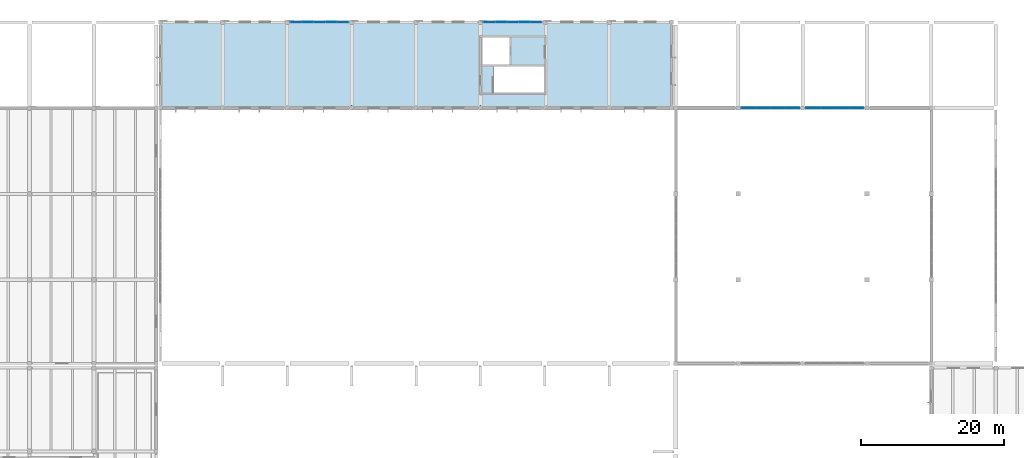
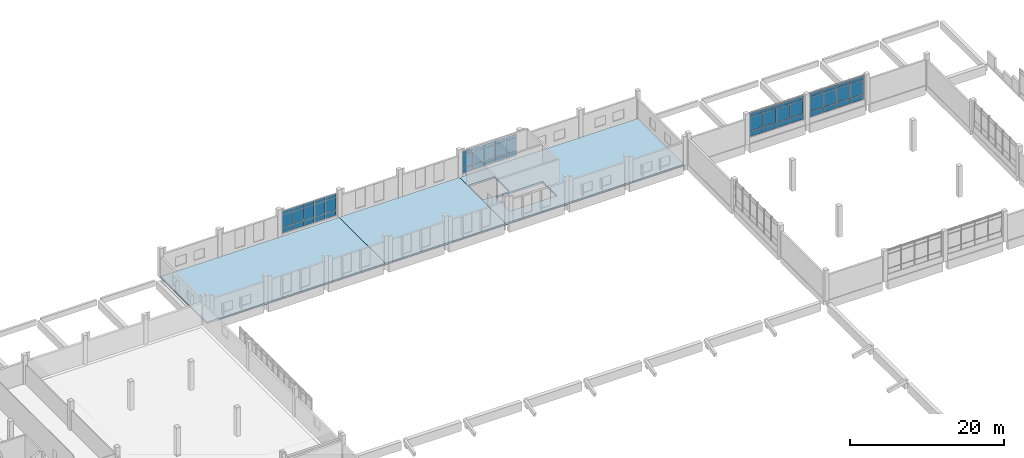
# One storey, part 32 of 63: 54 plates, 3 slabs, 4 elements without a shape of their own.
"""IFC4 building model written with IfcOpenShell, lengths in metres."""

from ifc_helpers import new_model, si_unit, direction, frame, origin, origin_2d, place, context, subcontext, project, spatial, polyline, rectangle, outline, extrude, material, layer, layer_set, type_object, element, aggregate, save


model = new_model("IFC4")

# Units and contexts
model_context = context("Model", 3, precision=1e-05, world=origin(), true_north=direction((0.0, 1.0)))
body_context = subcontext(model_context, "Body", "Model", "MODEL_VIEW")
ifc_project = project(units=[si_unit("LENGTHUNIT", "METRE"), si_unit("AREAUNIT", "SQUARE_METRE"), si_unit("VOLUMEUNIT", "CUBIC_METRE"), si_unit("PLANEANGLEUNIT", "RADIAN"), si_unit("MASSUNIT", "GRAM", prefix="KILO")], contexts=[model_context])

# Site, building, storey
site_placement = place(None, origin())
site = spatial("IfcSite", under=ifc_project, at=site_placement, CompositionType="ELEMENT")
building_placement = place(site_placement, origin())
building = spatial("IfcBuilding", under=site, at=building_placement, Name="Zacnel Wholesale Market", CompositionType="ELEMENT")
storey_placement = place(building_placement, frame((0.0, 0.0, 11.199951171875)))
storey = spatial("IfcBuildingStorey", under=building, at=storey_placement, Name="L03", CompositionType="ELEMENT", Elevation=11.199951171875)

# Curtain wall, plates
ifc_material_1 = material(Name="Anodised aluminium", Category="aluminium")
ifc_layer_1 = layer(ifc_material_1, 0.159912109375)
ifc_layer_set_1 = layer_set([ifc_layer_1], Name="Anodised aluminium")
curtain_wall_type_1 = type_object("IfcCurtainWallType", Name="CW-COURT-4500", PredefinedType="NOTDEFINED", material=ifc_layer_set_1)
curtain_wall_1_placement = place(storey_placement, origin())
curtain_wall_1 = element("IfcCurtainWall", 1, at=curtain_wall_1_placement, inside=storey, type_object=curtain_wall_type_1, Name="Curtain wall ENV-R2-CW-L03-048", PredefinedType="NOTDEFINED")
ifc_material_2 = material(Name="Laminated hurricane-impact low-E insulated glass", Category="glass")
ifc_layer_2 = layer(ifc_material_2, 0.028076171875)
ifc_layer_set_2 = layer_set([ifc_layer_2], Name="Laminated hurricane-impact low-E insulated glass")
plate_type_1 = type_object("IfcPlateType", Name="CWP-PNL-01", PredefinedType="CURTAIN_PANEL", material=ifc_layer_set_2)
plate_1_placement = place(storey_placement, frame((91.260009765625, 144.0, 1.330078125), z_axis=(0.0, 0.0, 1.0), x_axis=(1.0, 0.0, 0.0)))
plate_1 = element("IfcPlate", 2, at=plate_1_placement, type_object=plate_type_1, Name="ENV-R2-CW-L03-048 panel 1-2", PredefinedType="CURTAIN_PANEL", context=body_context, shape_type="SweptSolid", body=[
    extrude(rectangle(XDim=1.550048828125, YDim=0.028076171875, at=origin_2d()), origin(), (0.0, 0.0, 1.0), 2.010009765625),
])
plate_2_placement = place(storey_placement, frame((92.8798828125, 144.0, 1.330078125), z_axis=(0.0, 0.0, 1.0), x_axis=(1.0, 0.0, 0.0)))
plate_2 = element("IfcPlate", 3, at=plate_2_placement, type_object=plate_type_1, Name="ENV-R2-CW-L03-048 panel 2-2", PredefinedType="CURTAIN_PANEL", context=body_context, shape_type="SweptSolid", body=[
    extrude(rectangle(XDim=1.550048828125, YDim=0.028076171875, at=origin_2d()), origin(), (0.0, 0.0, 1.0), 2.010009765625),
])
plate_3_placement = place(storey_placement, frame((94.5, 144.0, 1.330078125), z_axis=(0.0, 0.0, 1.0), x_axis=(1.0, 0.0, 0.0)))
plate_3 = element("IfcPlate", 4, at=plate_3_placement, type_object=plate_type_1, Name="ENV-R2-CW-L03-048 panel 3-2", PredefinedType="CURTAIN_PANEL", context=body_context, shape_type="SweptSolid", body=[
    extrude(rectangle(XDim=1.550048828125, YDim=0.028076171875, at=origin_2d()), origin(), (0.0, 0.0, 1.0), 2.010009765625),
])
plate_4_placement = place(storey_placement, frame((96.1201171875, 144.0, 1.330078125), z_axis=(0.0, 0.0, 1.0), x_axis=(1.0, 0.0, 0.0)))
plate_4 = element("IfcPlate", 5, at=plate_4_placement, type_object=plate_type_1, Name="ENV-R2-CW-L03-048 panel 4-2", PredefinedType="CURTAIN_PANEL", context=body_context, shape_type="SweptSolid", body=[
    extrude(rectangle(XDim=1.550048828125, YDim=0.028076171875, at=origin_2d()), origin(), (0.0, 0.0, 1.0), 2.010009765625),
])
plate_5_placement = place(storey_placement, frame((97.739990234375, 144.0, 1.330078125), z_axis=(0.0, 0.0, 1.0), x_axis=(1.0, 0.0, 0.0)))
plate_5 = element("IfcPlate", 6, at=plate_5_placement, type_object=plate_type_1, Name="ENV-R2-CW-L03-048 panel 5-2", PredefinedType="CURTAIN_PANEL", context=body_context, shape_type="SweptSolid", body=[
    extrude(rectangle(XDim=1.550048828125, YDim=0.028076171875, at=origin_2d()), origin(), (0.0, 0.0, 1.0), 2.010009765625),
])

curtain_wall_2_placement = place(storey_placement, origin())
curtain_wall_2 = element("IfcCurtainWall", 7, at=curtain_wall_2_placement, inside=storey, type_object=curtain_wall_type_1, Name="Curtain wall ENV-R2-CW-L03-049", PredefinedType="NOTDEFINED")
plate_6_placement = place(storey_placement, frame((118.260009765625, 144.0, 1.330078125), z_axis=(0.0, 0.0, 1.0), x_axis=(1.0, 0.0, 0.0)))
plate_6 = element("IfcPlate", 8, at=plate_6_placement, type_object=plate_type_1, Name="ENV-R2-CW-L03-049 panel 1-2", PredefinedType="CURTAIN_PANEL", context=body_context, shape_type="SweptSolid", body=[
    extrude(rectangle(XDim=1.550048828125, YDim=0.028076171875, at=origin_2d()), origin(), (0.0, 0.0, 1.0), 2.010009765625),
])
plate_7_placement = place(storey_placement, frame((119.8798828125, 144.0, 1.330078125), z_axis=(0.0, 0.0, 1.0), x_axis=(1.0, 0.0, 0.0)))
plate_7 = element("IfcPlate", 9, at=plate_7_placement, type_object=plate_type_1, Name="ENV-R2-CW-L03-049 panel 2-2", PredefinedType="CURTAIN_PANEL", context=body_context, shape_type="SweptSolid", body=[
    extrude(rectangle(XDim=1.550048828125, YDim=0.028076171875, at=origin_2d()), origin(), (0.0, 0.0, 1.0), 2.010009765625),
])
plate_8_placement = place(storey_placement, frame((121.5, 144.0, 1.330078125), z_axis=(0.0, 0.0, 1.0), x_axis=(1.0, 0.0, 0.0)))
plate_8 = element("IfcPlate", 10, at=plate_8_placement, type_object=plate_type_1, Name="ENV-R2-CW-L03-049 panel 3-2", PredefinedType="CURTAIN_PANEL", context=body_context, shape_type="SweptSolid", body=[
    extrude(rectangle(XDim=1.550048828125, YDim=0.028076171875, at=origin_2d()), origin(), (0.0, 0.0, 1.0), 2.010009765625),
])
plate_9_placement = place(storey_placement, frame((123.1201171875, 144.0, 1.330078125), z_axis=(0.0, 0.0, 1.0), x_axis=(1.0, 0.0, 0.0)))
plate_9 = element("IfcPlate", 11, at=plate_9_placement, type_object=plate_type_1, Name="ENV-R2-CW-L03-049 panel 4-2", PredefinedType="CURTAIN_PANEL", context=body_context, shape_type="SweptSolid", body=[
    extrude(rectangle(XDim=1.550048828125, YDim=0.028076171875, at=origin_2d()), origin(), (0.0, 0.0, 1.0), 2.010009765625),
])
plate_10_placement = place(storey_placement, frame((124.739990234375, 144.0, 1.330078125), z_axis=(0.0, 0.0, 1.0), x_axis=(1.0, 0.0, 0.0)))
plate_10 = element("IfcPlate", 12, at=plate_10_placement, type_object=plate_type_1, Name="ENV-R2-CW-L03-049 panel 5-2", PredefinedType="CURTAIN_PANEL", context=body_context, shape_type="SweptSolid", body=[
    extrude(rectangle(XDim=1.550048828125, YDim=0.028076171875, at=origin_2d()), origin(), (0.0, 0.0, 1.0), 2.010009765625),
])

ifc_material_3 = material(Name="Anodised aluminium", Category="aluminium")
ifc_layer_3 = layer(ifc_material_3, 0.14990234375)
ifc_layer_set_3 = layer_set([ifc_layer_3], Name="Anodised aluminium")
curtain_wall_type_2 = type_object("IfcCurtainWallType", Name="CW-CLER-3600", PredefinedType="NOTDEFINED", material=ifc_layer_set_3)
curtain_wall_3_placement = place(storey_placement, origin())
curtain_wall_3 = element("IfcCurtainWall", 13, at=curtain_wall_3_placement, inside=storey, type_object=curtain_wall_type_2, Name="Curtain wall ENV-CW-XDRUM-N-2", PredefinedType="NOTDEFINED")
ifc_material_4 = material(Name="Laminated hurricane-impact low-E insulated glass", Category="glass")
ifc_layer_4 = layer(ifc_material_4, 0.02392578125)
ifc_layer_set_4 = layer_set([ifc_layer_4], Name="Laminated hurricane-impact low-E insulated glass")
plate_type_2 = type_object("IfcPlateType", Name="CWP-PNL-03", PredefinedType="CURTAIN_PANEL", material=ifc_layer_set_4)
plate_11_placement = place(storey_placement, frame((154.469970703125, 132.0, 1.7802734375), z_axis=(0.0, 0.0, 1.0), x_axis=(1.0, 0.0, 0.0)))
plate_11 = element("IfcPlate", 14, at=plate_11_placement, type_object=plate_type_2, Name="ENV-CW-XDRUM-N-2 panel 1-2", PredefinedType="CURTAIN_PANEL", context=body_context, shape_type="SweptSolid", body=[
    extrude(rectangle(XDim=1.949951171875, YDim=0.02392578125, at=origin_2d()), origin(), (0.0, 0.0, 1.0), 2.239990234375),
])
plate_12_placement = place(storey_placement, frame((156.489990234375, 132.0, 1.7802734375), z_axis=(0.0, 0.0, 1.0), x_axis=(1.0, 0.0, 0.0)))
plate_12 = element("IfcPlate", 15, at=plate_12_placement, type_object=plate_type_2, Name="ENV-CW-XDRUM-N-2 panel 2-2", PredefinedType="CURTAIN_PANEL", context=body_context, shape_type="SweptSolid", body=[
    extrude(rectangle(XDim=1.949951171875, YDim=0.02392578125, at=origin_2d()), origin(), (0.0, 0.0, 1.0), 2.239990234375),
])
plate_13_placement = place(storey_placement, frame((158.510009765625, 132.0, 1.7802734375), z_axis=(0.0, 0.0, 1.0), x_axis=(1.0, 0.0, 0.0)))
plate_13 = element("IfcPlate", 16, at=plate_13_placement, type_object=plate_type_2, Name="ENV-CW-XDRUM-N-2 panel 3-2", PredefinedType="CURTAIN_PANEL", context=body_context, shape_type="SweptSolid", body=[
    extrude(rectangle(XDim=1.949951171875, YDim=0.02392578125, at=origin_2d()), origin(), (0.0, 0.0, 1.0), 2.239990234375),
])
plate_14_placement = place(storey_placement, frame((160.530029296875, 132.0, 1.7802734375), z_axis=(0.0, 0.0, 1.0), x_axis=(1.0, 0.0, 0.0)))
plate_14 = element("IfcPlate", 17, at=plate_14_placement, type_object=plate_type_2, Name="ENV-CW-XDRUM-N-2 panel 4-2", PredefinedType="CURTAIN_PANEL", context=body_context, shape_type="SweptSolid", body=[
    extrude(rectangle(XDim=1.949951171875, YDim=0.02392578125, at=origin_2d()), origin(), (0.0, 0.0, 1.0), 2.239990234375),
])

curtain_wall_4_placement = place(storey_placement, origin())
curtain_wall_4 = element("IfcCurtainWall", 18, at=curtain_wall_4_placement, inside=storey, type_object=curtain_wall_type_2, Name="Curtain wall ENV-CW-XDRUM-N-3", PredefinedType="NOTDEFINED")
plate_15_placement = place(storey_placement, frame((163.469970703125, 132.0, 1.7802734375), z_axis=(0.0, 0.0, 1.0), x_axis=(1.0, 0.0, 0.0)))
plate_15 = element("IfcPlate", 19, at=plate_15_placement, type_object=plate_type_2, Name="ENV-CW-XDRUM-N-3 panel 1-2", PredefinedType="CURTAIN_PANEL", context=body_context, shape_type="SweptSolid", body=[
    extrude(rectangle(XDim=1.949951171875, YDim=0.02392578125, at=origin_2d()), origin(), (0.0, 0.0, 1.0), 2.239990234375),
])
plate_16_placement = place(storey_placement, frame((165.489990234375, 132.0, 1.7802734375), z_axis=(0.0, 0.0, 1.0), x_axis=(1.0, 0.0, 0.0)))
plate_16 = element("IfcPlate", 20, at=plate_16_placement, type_object=plate_type_2, Name="ENV-CW-XDRUM-N-3 panel 2-2", PredefinedType="CURTAIN_PANEL", context=body_context, shape_type="SweptSolid", body=[
    extrude(rectangle(XDim=1.949951171875, YDim=0.02392578125, at=origin_2d()), origin(), (0.0, 0.0, 1.0), 2.239990234375),
])
plate_17_placement = place(storey_placement, frame((167.510009765625, 132.0, 1.7802734375), z_axis=(0.0, 0.0, 1.0), x_axis=(1.0, 0.0, 0.0)))
plate_17 = element("IfcPlate", 21, at=plate_17_placement, type_object=plate_type_2, Name="ENV-CW-XDRUM-N-3 panel 3-2", PredefinedType="CURTAIN_PANEL", context=body_context, shape_type="SweptSolid", body=[
    extrude(rectangle(XDim=1.949951171875, YDim=0.02392578125, at=origin_2d()), origin(), (0.0, 0.0, 1.0), 2.239990234375),
])
plate_18_placement = place(storey_placement, frame((169.530029296875, 132.0, 1.7802734375), z_axis=(0.0, 0.0, 1.0), x_axis=(1.0, 0.0, 0.0)))
plate_18 = element("IfcPlate", 22, at=plate_18_placement, type_object=plate_type_2, Name="ENV-CW-XDRUM-N-3 panel 4-2", PredefinedType="CURTAIN_PANEL", context=body_context, shape_type="SweptSolid", body=[
    extrude(rectangle(XDim=1.949951171875, YDim=0.02392578125, at=origin_2d()), origin(), (0.0, 0.0, 1.0), 2.239990234375),
])

# Plate
ifc_material_5 = material(Name="Anodised aluminium", Category="aluminium")
ifc_layer_5 = layer(ifc_material_5, 0.0400390625)
ifc_layer_set_5 = layer_set([ifc_layer_5], Name="Anodised aluminium")
plate_type_3 = type_object("IfcPlateType", Name="CWP-PNL-05", PredefinedType="CURTAIN_PANEL", material=ifc_layer_set_5)
plate_19_placement = place(storey_placement, frame((91.260009765625, 144.0, 0.47998046875), z_axis=(0.0, 0.0, 1.0), x_axis=(1.0, 0.0, 0.0)))
plate_19 = element("IfcPlate", 23, at=plate_19_placement, type_object=plate_type_3, Name="ENV-R2-CW-L03-048 panel 1-1", PredefinedType="CURTAIN_PANEL", context=body_context, shape_type="SweptSolid", body=[
    extrude(rectangle(XDim=1.550048828125, YDim=0.0400390625, at=origin_2d()), origin(), (0.0, 0.0, 1.0), 0.7900390625),
])

plate_20_placement = place(storey_placement, frame((91.260009765625, 144.0, 3.39990234375), z_axis=(0.0, 0.0, 1.0), x_axis=(1.0, 0.0, 0.0)))
plate_20 = element("IfcPlate", 24, at=plate_20_placement, type_object=plate_type_3, Name="ENV-R2-CW-L03-048 panel 1-3", PredefinedType="CURTAIN_PANEL", context=body_context, shape_type="SweptSolid", body=[
    extrude(rectangle(XDim=1.550048828125, YDim=0.0400390625, at=origin_2d()), origin(), (0.0, 0.0, 1.0), 0.489990234375),
])

plate_21_placement = place(storey_placement, frame((94.5, 144.0, 0.47998046875), z_axis=(0.0, 0.0, 1.0), x_axis=(1.0, 0.0, 0.0)))
plate_21 = element("IfcPlate", 25, at=plate_21_placement, type_object=plate_type_3, Name="ENV-R2-CW-L03-048 panel 3-1", PredefinedType="CURTAIN_PANEL", context=body_context, shape_type="SweptSolid", body=[
    extrude(rectangle(XDim=1.550048828125, YDim=0.0400390625, at=origin_2d()), origin(), (0.0, 0.0, 1.0), 0.7900390625),
])

plate_22_placement = place(storey_placement, frame((94.5, 144.0, 3.39990234375), z_axis=(0.0, 0.0, 1.0), x_axis=(1.0, 0.0, 0.0)))
plate_22 = element("IfcPlate", 26, at=plate_22_placement, type_object=plate_type_3, Name="ENV-R2-CW-L03-048 panel 3-3", PredefinedType="CURTAIN_PANEL", context=body_context, shape_type="SweptSolid", body=[
    extrude(rectangle(XDim=1.550048828125, YDim=0.0400390625, at=origin_2d()), origin(), (0.0, 0.0, 1.0), 0.489990234375),
])

plate_23_placement = place(storey_placement, frame((97.739990234375, 144.0, 0.47998046875), z_axis=(0.0, 0.0, 1.0), x_axis=(1.0, 0.0, 0.0)))
plate_23 = element("IfcPlate", 27, at=plate_23_placement, type_object=plate_type_3, Name="ENV-R2-CW-L03-048 panel 5-1", PredefinedType="CURTAIN_PANEL", context=body_context, shape_type="SweptSolid", body=[
    extrude(rectangle(XDim=1.550048828125, YDim=0.0400390625, at=origin_2d()), origin(), (0.0, 0.0, 1.0), 0.7900390625),
])

plate_24_placement = place(storey_placement, frame((97.739990234375, 144.0, 3.39990234375), z_axis=(0.0, 0.0, 1.0), x_axis=(1.0, 0.0, 0.0)))
plate_24 = element("IfcPlate", 28, at=plate_24_placement, type_object=plate_type_3, Name="ENV-R2-CW-L03-048 panel 5-3", PredefinedType="CURTAIN_PANEL", context=body_context, shape_type="SweptSolid", body=[
    extrude(rectangle(XDim=1.550048828125, YDim=0.0400390625, at=origin_2d()), origin(), (0.0, 0.0, 1.0), 0.489990234375),
])

plate_25_placement = place(storey_placement, frame((118.260009765625, 144.0, 0.47998046875), z_axis=(0.0, 0.0, 1.0), x_axis=(1.0, 0.0, 0.0)))
plate_25 = element("IfcPlate", 29, at=plate_25_placement, type_object=plate_type_3, Name="ENV-R2-CW-L03-049 panel 1-1", PredefinedType="CURTAIN_PANEL", context=body_context, shape_type="SweptSolid", body=[
    extrude(rectangle(XDim=1.550048828125, YDim=0.0400390625, at=origin_2d()), origin(), (0.0, 0.0, 1.0), 0.7900390625),
])

plate_26_placement = place(storey_placement, frame((118.260009765625, 144.0, 3.39990234375), z_axis=(0.0, 0.0, 1.0), x_axis=(1.0, 0.0, 0.0)))
plate_26 = element("IfcPlate", 30, at=plate_26_placement, type_object=plate_type_3, Name="ENV-R2-CW-L03-049 panel 1-3", PredefinedType="CURTAIN_PANEL", context=body_context, shape_type="SweptSolid", body=[
    extrude(rectangle(XDim=1.550048828125, YDim=0.0400390625, at=origin_2d()), origin(), (0.0, 0.0, 1.0), 0.489990234375),
])

plate_27_placement = place(storey_placement, frame((121.5, 144.0, 0.47998046875), z_axis=(0.0, 0.0, 1.0), x_axis=(1.0, 0.0, 0.0)))
plate_27 = element("IfcPlate", 31, at=plate_27_placement, type_object=plate_type_3, Name="ENV-R2-CW-L03-049 panel 3-1", PredefinedType="CURTAIN_PANEL", context=body_context, shape_type="SweptSolid", body=[
    extrude(rectangle(XDim=1.550048828125, YDim=0.0400390625, at=origin_2d()), origin(), (0.0, 0.0, 1.0), 0.7900390625),
])

plate_28_placement = place(storey_placement, frame((121.5, 144.0, 3.39990234375), z_axis=(0.0, 0.0, 1.0), x_axis=(1.0, 0.0, 0.0)))
plate_28 = element("IfcPlate", 32, at=plate_28_placement, type_object=plate_type_3, Name="ENV-R2-CW-L03-049 panel 3-3", PredefinedType="CURTAIN_PANEL", context=body_context, shape_type="SweptSolid", body=[
    extrude(rectangle(XDim=1.550048828125, YDim=0.0400390625, at=origin_2d()), origin(), (0.0, 0.0, 1.0), 0.489990234375),
])

plate_29_placement = place(storey_placement, frame((124.739990234375, 144.0, 0.47998046875), z_axis=(0.0, 0.0, 1.0), x_axis=(1.0, 0.0, 0.0)))
plate_29 = element("IfcPlate", 33, at=plate_29_placement, type_object=plate_type_3, Name="ENV-R2-CW-L03-049 panel 5-1", PredefinedType="CURTAIN_PANEL", context=body_context, shape_type="SweptSolid", body=[
    extrude(rectangle(XDim=1.550048828125, YDim=0.0400390625, at=origin_2d()), origin(), (0.0, 0.0, 1.0), 0.7900390625),
])

plate_30_placement = place(storey_placement, frame((124.739990234375, 144.0, 3.39990234375), z_axis=(0.0, 0.0, 1.0), x_axis=(1.0, 0.0, 0.0)))
plate_30 = element("IfcPlate", 34, at=plate_30_placement, type_object=plate_type_3, Name="ENV-R2-CW-L03-049 panel 5-3", PredefinedType="CURTAIN_PANEL", context=body_context, shape_type="SweptSolid", body=[
    extrude(rectangle(XDim=1.550048828125, YDim=0.0400390625, at=origin_2d()), origin(), (0.0, 0.0, 1.0), 0.489990234375),
])

plate_31_placement = place(storey_placement, frame((154.469970703125, 132.0, 0.929931640625), z_axis=(0.0, 0.0, 1.0), x_axis=(1.0, 0.0, 0.0)))
plate_31 = element("IfcPlate", 35, at=plate_31_placement, type_object=plate_type_3, Name="ENV-CW-XDRUM-N-2 panel 1-1", PredefinedType="CURTAIN_PANEL", context=body_context, shape_type="SweptSolid", body=[
    extrude(rectangle(XDim=1.949951171875, YDim=0.0400390625, at=origin_2d()), origin(), (0.0, 0.0, 1.0), 0.7900390625),
])

plate_32_placement = place(storey_placement, frame((154.469970703125, 132.0, 4.080078125), z_axis=(0.0, 0.0, 1.0), x_axis=(1.0, 0.0, 0.0)))
plate_32 = element("IfcPlate", 36, at=plate_32_placement, type_object=plate_type_3, Name="ENV-CW-XDRUM-N-2 panel 1-3", PredefinedType="CURTAIN_PANEL", context=body_context, shape_type="SweptSolid", body=[
    extrude(rectangle(XDim=1.949951171875, YDim=0.0400390625, at=origin_2d()), origin(), (0.0, 0.0, 1.0), 0.489990234375),
])

plate_33_placement = place(storey_placement, frame((158.510009765625, 132.0, 0.929931640625), z_axis=(0.0, 0.0, 1.0), x_axis=(1.0, 0.0, 0.0)))
plate_33 = element("IfcPlate", 37, at=plate_33_placement, type_object=plate_type_3, Name="ENV-CW-XDRUM-N-2 panel 3-1", PredefinedType="CURTAIN_PANEL", context=body_context, shape_type="SweptSolid", body=[
    extrude(rectangle(XDim=1.949951171875, YDim=0.0400390625, at=origin_2d()), origin(), (0.0, 0.0, 1.0), 0.7900390625),
])

plate_34_placement = place(storey_placement, frame((158.510009765625, 132.0, 4.080078125), z_axis=(0.0, 0.0, 1.0), x_axis=(1.0, 0.0, 0.0)))
plate_34 = element("IfcPlate", 38, at=plate_34_placement, type_object=plate_type_3, Name="ENV-CW-XDRUM-N-2 panel 3-3", PredefinedType="CURTAIN_PANEL", context=body_context, shape_type="SweptSolid", body=[
    extrude(rectangle(XDim=1.949951171875, YDim=0.0400390625, at=origin_2d()), origin(), (0.0, 0.0, 1.0), 0.489990234375),
])

plate_35_placement = place(storey_placement, frame((163.469970703125, 132.0, 0.929931640625), z_axis=(0.0, 0.0, 1.0), x_axis=(1.0, 0.0, 0.0)))
plate_35 = element("IfcPlate", 39, at=plate_35_placement, type_object=plate_type_3, Name="ENV-CW-XDRUM-N-3 panel 1-1", PredefinedType="CURTAIN_PANEL", context=body_context, shape_type="SweptSolid", body=[
    extrude(rectangle(XDim=1.949951171875, YDim=0.0400390625, at=origin_2d()), origin(), (0.0, 0.0, 1.0), 0.7900390625),
])

plate_36_placement = place(storey_placement, frame((163.469970703125, 132.0, 4.080078125), z_axis=(0.0, 0.0, 1.0), x_axis=(1.0, 0.0, 0.0)))
plate_36 = element("IfcPlate", 40, at=plate_36_placement, type_object=plate_type_3, Name="ENV-CW-XDRUM-N-3 panel 1-3", PredefinedType="CURTAIN_PANEL", context=body_context, shape_type="SweptSolid", body=[
    extrude(rectangle(XDim=1.949951171875, YDim=0.0400390625, at=origin_2d()), origin(), (0.0, 0.0, 1.0), 0.489990234375),
])

plate_37_placement = place(storey_placement, frame((167.510009765625, 132.0, 0.929931640625), z_axis=(0.0, 0.0, 1.0), x_axis=(1.0, 0.0, 0.0)))
plate_37 = element("IfcPlate", 41, at=plate_37_placement, type_object=plate_type_3, Name="ENV-CW-XDRUM-N-3 panel 3-1", PredefinedType="CURTAIN_PANEL", context=body_context, shape_type="SweptSolid", body=[
    extrude(rectangle(XDim=1.949951171875, YDim=0.0400390625, at=origin_2d()), origin(), (0.0, 0.0, 1.0), 0.7900390625),
])

plate_38_placement = place(storey_placement, frame((167.510009765625, 132.0, 4.080078125), z_axis=(0.0, 0.0, 1.0), x_axis=(1.0, 0.0, 0.0)))
plate_38 = element("IfcPlate", 42, at=plate_38_placement, type_object=plate_type_3, Name="ENV-CW-XDRUM-N-3 panel 3-3", PredefinedType="CURTAIN_PANEL", context=body_context, shape_type="SweptSolid", body=[
    extrude(rectangle(XDim=1.949951171875, YDim=0.0400390625, at=origin_2d()), origin(), (0.0, 0.0, 1.0), 0.489990234375),
])

ifc_material_6 = material(Name="Honed Yucatan Maya cream limestone", Category="masonry")
ifc_layer_6 = layer(ifc_material_6, 0.044921875)
ifc_layer_set_6 = layer_set([ifc_layer_6], Name="Honed Yucatan Maya cream limestone")
plate_type_4 = type_object("IfcPlateType", Name="CWP-PNL-06", PredefinedType="CURTAIN_PANEL", material=ifc_layer_set_6)
plate_39_placement = place(storey_placement, frame((92.8798828125, 144.0, 0.47998046875), z_axis=(0.0, 0.0, 1.0), x_axis=(1.0, 0.0, 0.0)))
plate_39 = element("IfcPlate", 43, at=plate_39_placement, type_object=plate_type_4, Name="ENV-R2-CW-L03-048 panel 2-1", PredefinedType="CURTAIN_PANEL", context=body_context, shape_type="SweptSolid", body=[
    extrude(rectangle(XDim=1.550048828125, YDim=0.044921875, at=origin_2d()), origin(), (0.0, 0.0, 1.0), 0.7900390625),
])

plate_40_placement = place(storey_placement, frame((92.8798828125, 144.0, 3.39990234375), z_axis=(0.0, 0.0, 1.0), x_axis=(1.0, 0.0, 0.0)))
plate_40 = element("IfcPlate", 44, at=plate_40_placement, type_object=plate_type_4, Name="ENV-R2-CW-L03-048 panel 2-3", PredefinedType="CURTAIN_PANEL", context=body_context, shape_type="SweptSolid", body=[
    extrude(rectangle(XDim=1.550048828125, YDim=0.044921875, at=origin_2d()), origin(), (0.0, 0.0, 1.0), 0.489990234375),
])

plate_41_placement = place(storey_placement, frame((96.1201171875, 144.0, 0.47998046875), z_axis=(0.0, 0.0, 1.0), x_axis=(1.0, 0.0, 0.0)))
plate_41 = element("IfcPlate", 45, at=plate_41_placement, type_object=plate_type_4, Name="ENV-R2-CW-L03-048 panel 4-1", PredefinedType="CURTAIN_PANEL", context=body_context, shape_type="SweptSolid", body=[
    extrude(rectangle(XDim=1.550048828125, YDim=0.044921875, at=origin_2d()), origin(), (0.0, 0.0, 1.0), 0.7900390625),
])

plate_42_placement = place(storey_placement, frame((96.1201171875, 144.0, 3.39990234375), z_axis=(0.0, 0.0, 1.0), x_axis=(1.0, 0.0, 0.0)))
plate_42 = element("IfcPlate", 46, at=plate_42_placement, type_object=plate_type_4, Name="ENV-R2-CW-L03-048 panel 4-3", PredefinedType="CURTAIN_PANEL", context=body_context, shape_type="SweptSolid", body=[
    extrude(rectangle(XDim=1.550048828125, YDim=0.044921875, at=origin_2d()), origin(), (0.0, 0.0, 1.0), 0.489990234375),
])

aggregate(curtain_wall_1, [plate_19, plate_1, plate_20, plate_39, plate_2, plate_40, plate_21, plate_3, plate_22, plate_41, plate_4, plate_42, plate_23, plate_5, plate_24])

plate_43_placement = place(storey_placement, frame((119.8798828125, 144.0, 0.47998046875), z_axis=(0.0, 0.0, 1.0), x_axis=(1.0, 0.0, 0.0)))
plate_43 = element("IfcPlate", 47, at=plate_43_placement, type_object=plate_type_4, Name="ENV-R2-CW-L03-049 panel 2-1", PredefinedType="CURTAIN_PANEL", context=body_context, shape_type="SweptSolid", body=[
    extrude(rectangle(XDim=1.550048828125, YDim=0.044921875, at=origin_2d()), origin(), (0.0, 0.0, 1.0), 0.7900390625),
])

plate_44_placement = place(storey_placement, frame((119.8798828125, 144.0, 3.39990234375), z_axis=(0.0, 0.0, 1.0), x_axis=(1.0, 0.0, 0.0)))
plate_44 = element("IfcPlate", 48, at=plate_44_placement, type_object=plate_type_4, Name="ENV-R2-CW-L03-049 panel 2-3", PredefinedType="CURTAIN_PANEL", context=body_context, shape_type="SweptSolid", body=[
    extrude(rectangle(XDim=1.550048828125, YDim=0.044921875, at=origin_2d()), origin(), (0.0, 0.0, 1.0), 0.489990234375),
])

plate_45_placement = place(storey_placement, frame((123.1201171875, 144.0, 0.47998046875), z_axis=(0.0, 0.0, 1.0), x_axis=(1.0, 0.0, 0.0)))
plate_45 = element("IfcPlate", 49, at=plate_45_placement, type_object=plate_type_4, Name="ENV-R2-CW-L03-049 panel 4-1", PredefinedType="CURTAIN_PANEL", context=body_context, shape_type="SweptSolid", body=[
    extrude(rectangle(XDim=1.550048828125, YDim=0.044921875, at=origin_2d()), origin(), (0.0, 0.0, 1.0), 0.7900390625),
])

plate_46_placement = place(storey_placement, frame((123.1201171875, 144.0, 3.39990234375), z_axis=(0.0, 0.0, 1.0), x_axis=(1.0, 0.0, 0.0)))
plate_46 = element("IfcPlate", 50, at=plate_46_placement, type_object=plate_type_4, Name="ENV-R2-CW-L03-049 panel 4-3", PredefinedType="CURTAIN_PANEL", context=body_context, shape_type="SweptSolid", body=[
    extrude(rectangle(XDim=1.550048828125, YDim=0.044921875, at=origin_2d()), origin(), (0.0, 0.0, 1.0), 0.489990234375),
])

aggregate(curtain_wall_2, [plate_25, plate_6, plate_26, plate_43, plate_7, plate_44, plate_27, plate_8, plate_28, plate_45, plate_9, plate_46, plate_29, plate_10, plate_30])

plate_47_placement = place(storey_placement, frame((156.489990234375, 132.0, 0.929931640625), z_axis=(0.0, 0.0, 1.0), x_axis=(1.0, 0.0, 0.0)))
plate_47 = element("IfcPlate", 51, at=plate_47_placement, type_object=plate_type_4, Name="ENV-CW-XDRUM-N-2 panel 2-1", PredefinedType="CURTAIN_PANEL", context=body_context, shape_type="SweptSolid", body=[
    extrude(rectangle(XDim=1.949951171875, YDim=0.044921875, at=origin_2d()), origin(), (0.0, 0.0, 1.0), 0.7900390625),
])

plate_48_placement = place(storey_placement, frame((156.489990234375, 132.0, 4.080078125), z_axis=(0.0, 0.0, 1.0), x_axis=(1.0, 0.0, 0.0)))
plate_48 = element("IfcPlate", 52, at=plate_48_placement, type_object=plate_type_4, Name="ENV-CW-XDRUM-N-2 panel 2-3", PredefinedType="CURTAIN_PANEL", context=body_context, shape_type="SweptSolid", body=[
    extrude(rectangle(XDim=1.949951171875, YDim=0.044921875, at=origin_2d()), origin(), (0.0, 0.0, 1.0), 0.489990234375),
])

plate_49_placement = place(storey_placement, frame((160.530029296875, 132.0, 0.929931640625), z_axis=(0.0, 0.0, 1.0), x_axis=(1.0, 0.0, 0.0)))
plate_49 = element("IfcPlate", 53, at=plate_49_placement, type_object=plate_type_4, Name="ENV-CW-XDRUM-N-2 panel 4-1", PredefinedType="CURTAIN_PANEL", context=body_context, shape_type="SweptSolid", body=[
    extrude(rectangle(XDim=1.949951171875, YDim=0.044921875, at=origin_2d()), origin(), (0.0, 0.0, 1.0), 0.7900390625),
])

plate_50_placement = place(storey_placement, frame((160.530029296875, 132.0, 4.080078125), z_axis=(0.0, 0.0, 1.0), x_axis=(1.0, 0.0, 0.0)))
plate_50 = element("IfcPlate", 54, at=plate_50_placement, type_object=plate_type_4, Name="ENV-CW-XDRUM-N-2 panel 4-3", PredefinedType="CURTAIN_PANEL", context=body_context, shape_type="SweptSolid", body=[
    extrude(rectangle(XDim=1.949951171875, YDim=0.044921875, at=origin_2d()), origin(), (0.0, 0.0, 1.0), 0.489990234375),
])

aggregate(curtain_wall_3, [plate_31, plate_11, plate_32, plate_47, plate_12, plate_48, plate_33, plate_13, plate_34, plate_49, plate_14, plate_50])

plate_51_placement = place(storey_placement, frame((165.489990234375, 132.0, 0.929931640625), z_axis=(0.0, 0.0, 1.0), x_axis=(1.0, 0.0, 0.0)))
plate_51 = element("IfcPlate", 55, at=plate_51_placement, type_object=plate_type_4, Name="ENV-CW-XDRUM-N-3 panel 2-1", PredefinedType="CURTAIN_PANEL", context=body_context, shape_type="SweptSolid", body=[
    extrude(rectangle(XDim=1.949951171875, YDim=0.044921875, at=origin_2d()), origin(), (0.0, 0.0, 1.0), 0.7900390625),
])

plate_52_placement = place(storey_placement, frame((165.489990234375, 132.0, 4.080078125), z_axis=(0.0, 0.0, 1.0), x_axis=(1.0, 0.0, 0.0)))
plate_52 = element("IfcPlate", 56, at=plate_52_placement, type_object=plate_type_4, Name="ENV-CW-XDRUM-N-3 panel 2-3", PredefinedType="CURTAIN_PANEL", context=body_context, shape_type="SweptSolid", body=[
    extrude(rectangle(XDim=1.949951171875, YDim=0.044921875, at=origin_2d()), origin(), (0.0, 0.0, 1.0), 0.489990234375),
])

plate_53_placement = place(storey_placement, frame((169.530029296875, 132.0, 0.929931640625), z_axis=(0.0, 0.0, 1.0), x_axis=(1.0, 0.0, 0.0)))
plate_53 = element("IfcPlate", 57, at=plate_53_placement, type_object=plate_type_4, Name="ENV-CW-XDRUM-N-3 panel 4-1", PredefinedType="CURTAIN_PANEL", context=body_context, shape_type="SweptSolid", body=[
    extrude(rectangle(XDim=1.949951171875, YDim=0.044921875, at=origin_2d()), origin(), (0.0, 0.0, 1.0), 0.7900390625),
])

plate_54_placement = place(storey_placement, frame((169.530029296875, 132.0, 4.080078125), z_axis=(0.0, 0.0, 1.0), x_axis=(1.0, 0.0, 0.0)))
plate_54 = element("IfcPlate", 58, at=plate_54_placement, type_object=plate_type_4, Name="ENV-CW-XDRUM-N-3 panel 4-3", PredefinedType="CURTAIN_PANEL", context=body_context, shape_type="SweptSolid", body=[
    extrude(rectangle(XDim=1.949951171875, YDim=0.044921875, at=origin_2d()), origin(), (0.0, 0.0, 1.0), 0.489990234375),
])

aggregate(curtain_wall_4, [plate_35, plate_15, plate_36, plate_51, plate_16, plate_52, plate_37, plate_17, plate_38, plate_53, plate_18, plate_54])

# Slabs
ifc_material_7 = material(Name="Precast concrete C45/55", Category="concrete")
ifc_layer_7 = layer(ifc_material_7, 0.280029296875)
ifc_layer_set_7 = layer_set([ifc_layer_7], Name="Precast concrete C45/55")
slab_type = type_object("IfcSlabType", Name="SLB-FLR-280", PredefinedType="FLOOR", material=ifc_layer_set_7)
slab_1_placement = place(storey_placement, frame((0.0, 0.0, -0.280029296875)))
element("IfcSlab", 59, at=slab_1_placement, inside=storey, type_object=slab_type, Name="Structural slab SLB-L03-V1N-W-P1", PredefinedType="FLOOR", context=body_context, shape_type="SweptSolid", body=[
    extrude(outline(polyline([(99.0, 144.0), (99.0, 132.0), (72.300048828125, 132.0), (72.300048828125, 144.0), (99.0, 144.0)])), origin(), (0.0, 0.0, 1.0), 0.280029296875),
])
slab_2_placement = place(storey_placement, frame((0.0, 0.0, -0.280029296875)))
element("IfcSlab", 60, at=slab_2_placement, inside=storey, type_object=slab_type, Name="Structural slab SLB-L03-V1N-W-P2", PredefinedType="FLOOR", context=body_context, shape_type="SweptSolid", body=[
    extrude(outline(polyline([(117.0, 144.0), (117.0, 132.0), (99.0, 132.0), (99.0, 144.0), (117.0, 144.0)])), origin(), (0.0, 0.0, 1.0), 0.280029296875),
])
slab_3_placement = place(storey_placement, frame((0.0, 0.0, -0.280029296875)))
element("IfcSlab", 61, at=slab_3_placement, inside=storey, type_object=slab_type, Name="Structural slab SLB-L03-V1N-W-P3", PredefinedType="FLOOR", context=body_context, shape_type="SweptSolid", body=[
    extrude(outline(polyline([(143.699951171875, 132.0), (117.0, 132.0), (117.0, 144.0), (143.699951171875, 144.0), (143.699951171875, 132.0)]), holes=[polyline([(118.85009765625, 134.1298828125), (125.8701171875, 134.1298828125), (125.8701171875, 137.820068359375), (118.85009765625, 137.820068359375), (118.85009765625, 134.1298828125)]), polyline([(117.139892578125, 138.080078125), (121.070068359375, 138.080078125), (121.070068359375, 141.8701171875), (117.139892578125, 141.8701171875), (117.139892578125, 138.080078125)])]), origin(), (0.0, 0.0, 1.0), 0.280029296875),
])

save(model, "model.ifc")
